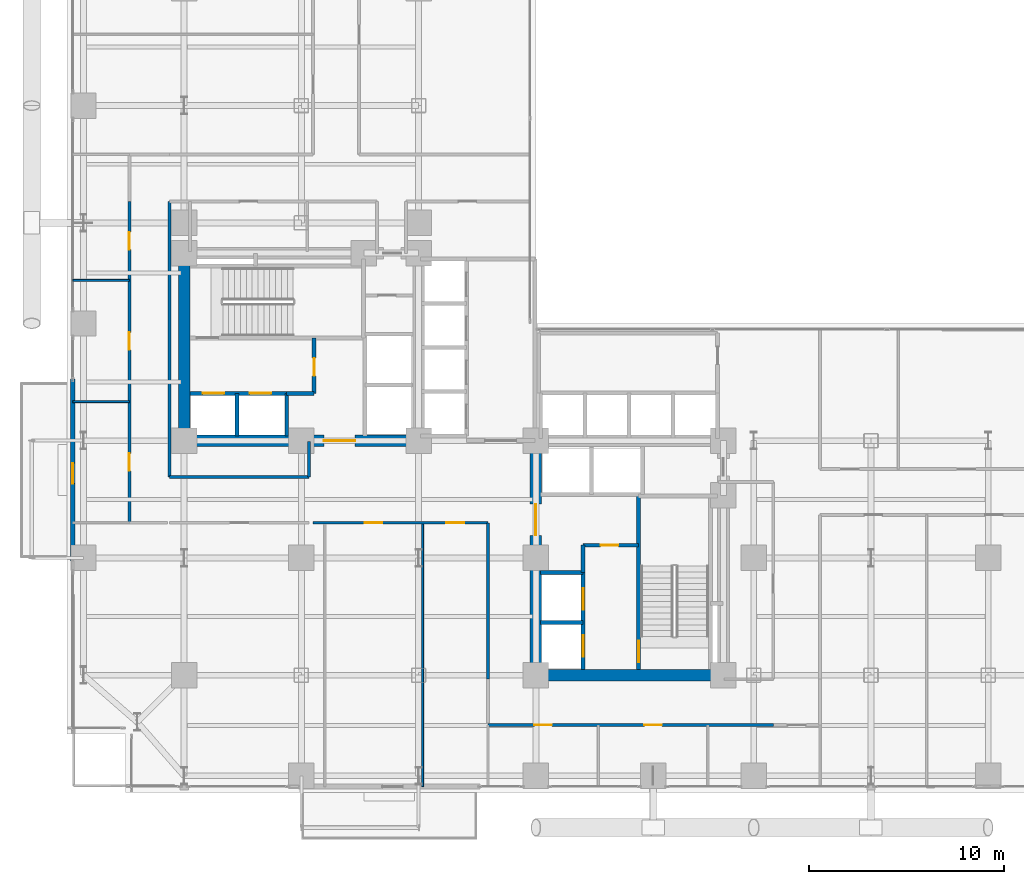
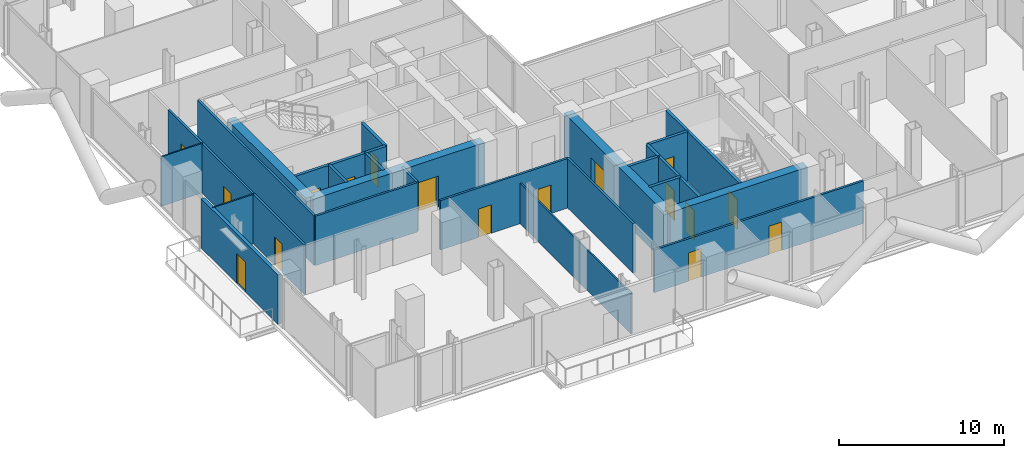
# One storey, part 20 of 25: 26 walls, 17 doors, 17 openings.
"""IFC4 building model written with IfcOpenShell, lengths in metres."""

from ifc_helpers import new_model, si_unit, direction, frame, frame_2d, origin, place, context, subcontext, project, spatial, rectangle, extrude, material, layer, layer_set, type_object, element, fill, save


model = new_model("IFC4")

# Units and contexts
model_context = context("Model", 3, precision=1e-05, world=origin(), true_north=direction((0.0, 1.0)))
body_context = subcontext(model_context, "Body", "Model", "MODEL_VIEW")
ifc_project = project(units=[si_unit("LENGTHUNIT", "METRE"), si_unit("AREAUNIT", "SQUARE_METRE"), si_unit("VOLUMEUNIT", "CUBIC_METRE"), si_unit("PLANEANGLEUNIT", "RADIAN"), si_unit("MASSUNIT", "GRAM", prefix="KILO"), si_unit("THERMODYNAMICTEMPERATUREUNIT", "KELVIN"), si_unit("POWERUNIT", "WATT")], contexts=[model_context])

# Site, building, storey
site_placement = place(None, origin())
site = spatial("IfcSite", under=ifc_project, at=site_placement, CompositionType="ELEMENT")
building_placement = place(site_placement, origin())
building = spatial("IfcBuilding", under=site, at=building_placement, Name="Svarakhadi Broadcast Tower", CompositionType="ELEMENT")
storey_placement = place(building_placement, frame((0.0, 0.0, 32.39990234375)))
storey = spatial("IfcBuildingStorey", under=building, at=storey_placement, Name="L06", CompositionType="ELEMENT", Elevation=32.39990234375)

# Wall, opening, door
ifc_material_1 = material(Name="Concrete C40/50 (IS 456 M50)", Category="concrete")
ifc_layer_1 = layer(ifc_material_1, 0.239990234375)
ifc_layer_set_1 = layer_set([ifc_layer_1], Name="Concrete C40/50 (IS 456 M50)")
wall_type_1 = type_object("IfcWallType", Name="Wall_Ext_240", PredefinedType="SOLIDWALL", material=ifc_layer_set_1)
wall_1_placement = place(storey_placement, frame((0.300048828125, 11.85498046875, 0.0), z_axis=(0.0, 0.0, 1.0), x_axis=(0.0, 1.0, 0.0)))
wall_1 = element("IfcWall", 1, at=wall_1_placement, inside=storey, type_object=wall_type_1, Name="L06 West Tree Balcony Spandrel Wall", PredefinedType="SOLIDWALL", context=body_context, shape_type="SweptSolid", body=[
    extrude(rectangle(XDim=9.2900390625, YDim=0.239990234375, at=frame_2d((4.64501953125, 0.0))), origin(), (0.0, 0.0, 1.0), 3.650146484375),
])
opening_1_placement = place(wall_1_placement, frame((3.945068359375, 0.0, 0.0)))
opening_1 = element("IfcOpeningElement", 2, at=opening_1_placement, cuts=wall_1, Name="Opening ED-05", PredefinedType="OPENING", context=body_context, shape_type="SweptSolid", body=[
    extrude(rectangle(XDim=1.050048828125, YDim=2.199951171875, at=frame_2d((0.52490234375, 1.10009765625))), frame((0.0, 0.1298828125, 0.0), z_axis=(0.0, -1.0, 0.0), x_axis=(1.0, 0.0, 0.0)), (0.0, 0.0, 1.0), 0.260009765625),
])
ifc_material_2 = material(Name="Anodised Bronze Aluminium AA 6063-T6", Category="aluminium")
door_type_1 = type_object("IfcDoorType", Name="Door_Ext_ED05", OperationType="SINGLE_SWING_LEFT", PredefinedType="DOOR", material=ifc_material_2)
door_1_placement = place(opening_1_placement, origin())
door_1 = element("IfcDoor", 3, at=door_1_placement, inside=storey, type_object=door_type_1, Name="L06 West Tree Balcony Door", OperationType="SINGLE_SWING_LEFT", OverallHeight=2.199951171875, OverallWidth=1.050048828125, PredefinedType="DOOR", context=body_context, shape_type="SweptSolid", body=[
    extrude(rectangle(XDim=1.050048828125, YDim=2.199951171875, at=frame_2d((0.52490234375, 1.10009765625))), frame((0.0, 0.02490234375, 0.0), z_axis=(0.0, -1.0, 0.0), x_axis=(1.0, 0.0, 0.0)), (0.0, 0.0, 1.0), 0.050048828125),
])
fill(opening_1, door_1)

# Walls
ifc_material_3 = material(Name="Fire-Rated Moisture-Resistant Gypsum Board Partition", Category="gypsum")
ifc_layer_2 = layer(ifc_material_3, 0.10009765625)
ifc_layer_set_2 = layer_set([ifc_layer_2], Name="Fire-Rated Moisture-Resistant Gypsum Board Partition")
wall_type_2 = type_object("IfcWallType", Name="Wall_Part_100", PredefinedType="PARTITIONING", material=ifc_layer_set_2)
wall_2_placement = place(storey_placement, frame((18.199951171875, 0.300048828125, 0.0), z_axis=(0.0, 0.0, 1.0), x_axis=(0.0, 1.0, 0.0)))
element("IfcWall", 4, at=wall_2_placement, inside=storey, type_object=wall_type_2, Name="L06 Editorial Morning Conference Room Wall", PredefinedType="PARTITIONING", context=body_context, shape_type="SweptSolid", body=[
    extrude(rectangle(XDim=13.5, YDim=0.10009765625, at=frame_2d((6.75, 0.0))), origin(), (0.0, 0.0, 1.0), 2.9921875),
])
for number, where, z_axis, x_axis, name in (
    (5, (0.300048828125, 20.0, 0.0), (0.0, 0.0, 1.0), (1.0, 0.0, 0.0), "L06 Arabian Sea Commentary Booth Wall"),
    (6, (0.300048828125, 26.199951171875, 0.0), (0.0, 0.0, 1.0), (1.0, 0.0, 0.0), "L06 Live Translation Studio Wall"),
):
    element("IfcWall", number, at=place(storey_placement, frame(where, z_axis=z_axis, x_axis=x_axis)), inside=storey, type_object=wall_type_2, Name=name, PredefinedType="PARTITIONING", context=body_context, shape_type="SweptSolid", body=[
        extrude(rectangle(XDim=2.89990234375, YDim=0.10009765625, at=frame_2d((1.449951171875, 0.0))), origin(), (0.0, 0.0, 1.0), 3.650146484375),
    ])

# Wall, openings, doors
ifc_material_4 = material(Name="Autoclaved Aerated Concrete Blockwork 150 mm", Category="masonry")
ifc_layer_3 = layer(ifc_material_4, 0.14990234375)
ifc_layer_set_3 = layer_set([ifc_layer_3], Name="Autoclaved Aerated Concrete Blockwork 150 mm")
wall_type_3 = type_object("IfcWallType", Name="Wall_Part_150", PredefinedType="PARTITIONING", material=ifc_layer_set_3)
wall_3_placement = place(storey_placement, frame((36.14990234375, 3.449951171875, 0.0), z_axis=(0.0, 0.0, 1.0), x_axis=(-1.0, 0.0, 0.0)))
wall_3 = element("IfcWall", 7, at=wall_3_placement, inside=storey, type_object=wall_type_3, Name="L06 Broadcast Corridor Wall", PredefinedType="PARTITIONING", context=body_context, shape_type="SweptSolid", body=[
    extrude(rectangle(XDim=14.599853515625, YDim=0.14990234375, at=frame_2d((7.2998046875, 0.0))), origin(), (0.0, 0.0, 1.0), 3.14208984375),
])
opening_2_placement = place(wall_3_placement, frame((11.324951171875, 0.0, 0.0)))
opening_2 = element("IfcOpeningElement", 8, at=opening_2_placement, cuts=wall_3, Name="Opening D-14", PredefinedType="OPENING", context=body_context, shape_type="SweptSolid", body=[
    extrude(rectangle(XDim=0.89990234375, YDim=2.10009765625, at=frame_2d((0.449951171875, 1.050048828125))), frame((0.0, 0.0849609375, 0.0), z_axis=(0.0, -1.0, 0.0), x_axis=(1.0, 0.0, 0.0)), (0.0, 0.0, 1.0), 0.169921875),
])
opening_3_placement = place(wall_3_placement, frame((5.699951171875, 0.0, 0.0)))
opening_3 = element("IfcOpeningElement", 9, at=opening_3_placement, cuts=wall_3, Name="Opening D-15", PredefinedType="OPENING", context=body_context, shape_type="SweptSolid", body=[
    extrude(rectangle(XDim=0.89990234375, YDim=2.10009765625, at=frame_2d((0.449951171875, 1.050048828125))), frame((0.0, 0.0849609375, 0.0), z_axis=(0.0, -1.0, 0.0), x_axis=(1.0, 0.0, 0.0)), (0.0, 0.0, 1.0), 0.169921875),
])
ifc_material_5 = material(Name="Solid-Core Teak Veneer Acoustic Timber Leaf", Category="wood")
door_type_2 = type_object("IfcDoorType", Name="Door_Int_D14", OperationType="SINGLE_SWING_LEFT", PredefinedType="DOOR", material=ifc_material_5)
door_2_placement = place(opening_2_placement, origin())
door_2 = element("IfcDoor", 10, at=door_2_placement, inside=storey, type_object=door_type_2, Name="L06 South Harbour Editorial Desk Door", OperationType="SINGLE_SWING_LEFT", OverallHeight=2.10009765625, OverallWidth=0.89990234375, PredefinedType="DOOR", context=body_context, shape_type="SweptSolid", body=[
    extrude(rectangle(XDim=0.89990234375, YDim=2.10009765625, at=frame_2d((0.449951171875, 1.050048828125))), frame((0.0, 0.02490234375, 0.0), z_axis=(0.0, -1.0, 0.0), x_axis=(1.0, 0.0, 0.0)), (0.0, 0.0, 1.0), 0.050048828125),
])
fill(opening_2, door_2)
door_type_3 = type_object("IfcDoorType", Name="Door_Int_D15", OperationType="SINGLE_SWING_RIGHT", PredefinedType="DOOR", material=ifc_material_5)
door_3_placement = place(opening_3_placement, origin())
door_3 = element("IfcDoor", 11, at=door_3_placement, inside=storey, type_object=door_type_3, Name="L06 Media Legal Review Office Door", OperationType="SINGLE_SWING_RIGHT", OverallHeight=2.10009765625, OverallWidth=0.89990234375, PredefinedType="DOOR", context=body_context, shape_type="SweptSolid", body=[
    extrude(rectangle(XDim=0.89990234375, YDim=2.10009765625, at=frame_2d((0.449951171875, 1.050048828125))), frame((0.0, 0.02490234375, 0.0), z_axis=(0.0, -1.0, 0.0), x_axis=(1.0, 0.0, 0.0)), (0.0, 0.0, 1.0), 0.050048828125),
])
fill(opening_3, door_3)

# Wall
wall_4_placement = place(storey_placement, frame((21.550048828125, 5.800048828125, 0.0), z_axis=(0.0, 0.0, 1.0), x_axis=(0.0, 1.0, 0.0)))
element("IfcWall", 12, at=wall_4_placement, inside=storey, type_object=wall_type_3, Name="L06 Broadcast Corridor Wall", PredefinedType="PARTITIONING", context=body_context, shape_type="SweptSolid", body=[
    extrude(rectangle(XDim=8.0, YDim=0.14990234375, at=frame_2d((4.0, 0.0))), origin(), (0.0, 0.0, 1.0), 3.650146484375),
])

# Wall, openings, doors
wall_5_placement = place(storey_placement, frame((21.550048828125, 13.800048828125, 0.0), z_axis=(0.0, 0.0, 1.0), x_axis=(-1.0, 0.0, 0.0)))
wall_5 = element("IfcWall", 13, at=wall_5_placement, inside=storey, type_object=wall_type_3, Name="L06 Broadcast Corridor Wall", PredefinedType="PARTITIONING", context=body_context, shape_type="SweptSolid", body=[
    extrude(rectangle(XDim=8.949951171875, YDim=0.14990234375, at=frame_2d((4.47509765625, 0.0))), origin(), (0.0, 0.0, 1.0), 3.650146484375),
])
opening_4_placement = place(wall_5_placement, frame((5.39990234375, 0.0, 0.0)))
opening_4 = element("IfcOpeningElement", 14, at=opening_4_placement, cuts=wall_5, Name="Opening D-14", PredefinedType="OPENING", context=body_context, shape_type="SweptSolid", body=[
    extrude(rectangle(XDim=0.89990234375, YDim=2.10009765625, at=frame_2d((0.449951171875, 1.050048828125))), frame((0.0, 0.0849609375, 0.0), z_axis=(0.0, -1.0, 0.0), x_axis=(1.0, 0.0, 0.0)), (0.0, 0.0, 1.0), 0.169921875),
])
opening_5_placement = place(wall_5_placement, frame((1.22509765625, 0.0, 0.0)))
opening_5 = element("IfcOpeningElement", 15, at=opening_5_placement, cuts=wall_5, Name="Opening D-15", PredefinedType="OPENING", context=body_context, shape_type="SweptSolid", body=[
    extrude(rectangle(XDim=0.89990234375, YDim=2.10009765625, at=frame_2d((0.449951171875, 1.050048828125))), frame((0.0, 0.0849609375, 0.0), z_axis=(0.0, -1.0, 0.0), x_axis=(1.0, 0.0, 0.0)), (0.0, 0.0, 1.0), 0.169921875),
])
door_4_placement = place(opening_4_placement, origin())
door_4 = element("IfcDoor", 16, at=door_4_placement, inside=storey, type_object=door_type_2, Name="L06 Editorial Morning Conference Room Door", OperationType="SINGLE_SWING_LEFT", OverallHeight=2.10009765625, OverallWidth=0.89990234375, PredefinedType="DOOR", context=body_context, shape_type="SweptSolid", body=[
    extrude(rectangle(XDim=0.89990234375, YDim=2.10009765625, at=frame_2d((0.449951171875, 1.050048828125))), frame((0.0, 0.02490234375, 0.0), z_axis=(0.0, -1.0, 0.0), x_axis=(1.0, 0.0, 0.0)), (0.0, 0.0, 1.0), 0.050048828125),
])
fill(opening_4, door_4)
door_5_placement = place(opening_5_placement, origin())
door_5 = element("IfcDoor", 17, at=door_5_placement, inside=storey, type_object=door_type_3, Name="L06 Newsroom Tea Pantry Door", OperationType="SINGLE_SWING_RIGHT", OverallHeight=2.10009765625, OverallWidth=0.89990234375, PredefinedType="DOOR", context=body_context, shape_type="SweptSolid", body=[
    extrude(rectangle(XDim=0.89990234375, YDim=2.10009765625, at=frame_2d((0.449951171875, 1.050048828125))), frame((0.0, 0.02490234375, 0.0), z_axis=(0.0, -1.0, 0.0), x_axis=(1.0, 0.0, 0.0)), (0.0, 0.0, 1.0), 0.050048828125),
])
fill(opening_5, door_5)

wall_6_placement = place(storey_placement, frame((3.199951171875, 13.800048828125, 0.0), z_axis=(0.0, 0.0, 1.0), x_axis=(0.0, 1.0, 0.0)))
wall_6 = element("IfcWall", 18, at=wall_6_placement, inside=storey, type_object=wall_type_3, Name="L06 Broadcast Corridor Wall", PredefinedType="PARTITIONING", context=body_context, shape_type="SweptSolid", body=[
    extrude(rectangle(XDim=16.449951171875, YDim=0.14990234375, at=frame_2d((8.22509765625, 0.0))), origin(), (0.0, 0.0, 1.0), 3.650146484375),
])
opening_6_placement = place(wall_6_placement, frame((2.64990234375, 0.0, 0.0)))
opening_6 = element("IfcOpeningElement", 19, at=opening_6_placement, cuts=wall_6, Name="Opening D-15", PredefinedType="OPENING", context=body_context, shape_type="SweptSolid", body=[
    extrude(rectangle(XDim=0.89990234375, YDim=2.10009765625, at=frame_2d((0.449951171875, 1.050048828125))), frame((0.0, 0.0849609375, 0.0), z_axis=(0.0, -1.0, 0.0), x_axis=(1.0, 0.0, 0.0)), (0.0, 0.0, 1.0), 0.169921875),
])
opening_7_placement = place(wall_6_placement, frame((8.85009765625, 0.0, 0.0)))
opening_7 = element("IfcOpeningElement", 20, at=opening_7_placement, cuts=wall_6, Name="Opening D-14", PredefinedType="OPENING", context=body_context, shape_type="SweptSolid", body=[
    extrude(rectangle(XDim=0.89990234375, YDim=2.10009765625, at=frame_2d((0.449951171875, 1.050048828125))), frame((0.0, 0.0849609375, 0.0), z_axis=(0.0, -1.0, 0.0), x_axis=(1.0, 0.0, 0.0)), (0.0, 0.0, 1.0), 0.169921875),
])
opening_8_placement = place(wall_6_placement, frame((13.97509765625, 0.0, 0.0)))
opening_8 = element("IfcOpeningElement", 21, at=opening_8_placement, cuts=wall_6, Name="Opening D-15", PredefinedType="OPENING", context=body_context, shape_type="SweptSolid", body=[
    extrude(rectangle(XDim=0.89990234375, YDim=2.10009765625, at=frame_2d((0.449951171875, 1.050048828125))), frame((0.0, 0.0849609375, 0.0), z_axis=(0.0, -1.0, 0.0), x_axis=(1.0, 0.0, 0.0)), (0.0, 0.0, 1.0), 0.169921875),
])
door_6_placement = place(opening_7_placement, origin())
door_6 = element("IfcDoor", 22, at=door_6_placement, inside=storey, type_object=door_type_2, Name="L06 Live Translation Studio Door", OperationType="SINGLE_SWING_LEFT", OverallHeight=2.10009765625, OverallWidth=0.89990234375, PredefinedType="DOOR", context=body_context, shape_type="SweptSolid", body=[
    extrude(rectangle(XDim=0.89990234375, YDim=2.10009765625, at=frame_2d((0.449951171875, 1.050048828125))), frame((0.0, 0.02490234375, 0.0), z_axis=(0.0, -1.0, 0.0), x_axis=(1.0, 0.0, 0.0)), (0.0, 0.0, 1.0), 0.050048828125),
])
fill(opening_7, door_6)
door_7_placement = place(opening_6_placement, origin())
door_7 = element("IfcDoor", 23, at=door_7_placement, inside=storey, type_object=door_type_3, Name="L06 Arabian Sea Commentary Booth Door", OperationType="SINGLE_SWING_RIGHT", OverallHeight=2.10009765625, OverallWidth=0.89990234375, PredefinedType="DOOR", context=body_context, shape_type="SweptSolid", body=[
    extrude(rectangle(XDim=0.89990234375, YDim=2.10009765625, at=frame_2d((0.449951171875, 1.050048828125))), frame((0.0, 0.02490234375, 0.0), z_axis=(0.0, -1.0, 0.0), x_axis=(1.0, 0.0, 0.0)), (0.0, 0.0, 1.0), 0.050048828125),
])
fill(opening_6, door_7)
door_8_placement = place(opening_8_placement, origin())
door_8 = element("IfcDoor", 24, at=door_8_placement, inside=storey, type_object=door_type_3, Name="L06 Producer Quiet Lounge Door", OperationType="SINGLE_SWING_RIGHT", OverallHeight=2.10009765625, OverallWidth=0.89990234375, PredefinedType="DOOR", context=body_context, shape_type="SweptSolid", body=[
    extrude(rectangle(XDim=0.89990234375, YDim=2.10009765625, at=frame_2d((0.449951171875, 1.050048828125))), frame((0.0, 0.02490234375, 0.0), z_axis=(0.0, -1.0, 0.0), x_axis=(1.0, 0.0, 0.0)), (0.0, 0.0, 1.0), 0.050048828125),
])
fill(opening_8, door_8)

# Walls
wall_7_placement = place(storey_placement, frame((5.25, 30.25, 0.0), z_axis=(0.0, 0.0, 1.0), x_axis=(0.0, -1.0, 0.0)))
element("IfcWall", 25, at=wall_7_placement, inside=storey, type_object=wall_type_3, Name="L06 Broadcast Corridor Wall", PredefinedType="PARTITIONING", context=body_context, shape_type="SweptSolid", body=[
    extrude(rectangle(XDim=14.10009765625, YDim=0.14990234375, at=frame_2d((7.050048828125, 0.0))), origin(), (0.0, 0.0, 1.0), 3.650146484375),
])
wall_8_placement = place(storey_placement, frame((5.25, 16.14990234375, 0.0), z_axis=(0.0, 0.0, 1.0), x_axis=(1.0, 0.0, 0.0)))
element("IfcWall", 26, at=wall_8_placement, inside=storey, type_object=wall_type_3, Name="L06 Broadcast Corridor Wall", PredefinedType="PARTITIONING", context=body_context, shape_type="SweptSolid", body=[
    extrude(rectangle(XDim=7.14990234375, YDim=0.14990234375, at=frame_2d((3.574951171875, 0.0))), origin(), (0.0, 0.0, 1.0), 3.650146484375),
])
wall_9_placement = place(storey_placement, frame((12.39990234375, 16.14990234375, 0.0), z_axis=(0.0, 0.0, 1.0), x_axis=(0.0, 1.0, 0.0)))
element("IfcWall", 27, at=wall_9_placement, inside=storey, type_object=wall_type_3, Name="L06 Broadcast Corridor Wall", PredefinedType="PARTITIONING", context=body_context, shape_type="SweptSolid", body=[
    extrude(rectangle(XDim=1.800048828125, YDim=0.14990234375, at=frame_2d((0.89990234375, 0.0))), origin(), (0.0, 0.0, 1.0), 3.650146484375),
])

# Wall, opening, door
ifc_material_6 = material(Name="Concrete C50/60 (IS 456 M60)", Category="concrete")
ifc_layer_4 = layer(ifc_material_6, 0.199951171875)
ifc_layer_set_4 = layer_set([ifc_layer_4], Name="Concrete C50/60 (IS 456 M60)")
wall_type_4 = type_object("IfcWallType", Name="Wall_Shear_200", PredefinedType="SHEAR", material=ifc_layer_set_4)
wall_10_placement = place(storey_placement, frame((29.260009765625, 6.300048828125, 0.0), z_axis=(0.0, 0.0, 1.0), x_axis=(0.0, 1.0, 0.0)))
wall_10 = element("IfcWall", 28, at=wall_10_placement, inside=storey, type_object=wall_type_4, Name="L06 Stair ST-02 West RC Shaft Wall", PredefinedType="SHEAR", context=body_context, shape_type="SweptSolid", body=[
    extrude(rectangle(XDim=8.8798828125, YDim=0.199951171875, at=frame_2d((4.43994140625, 0.0))), origin(), (0.0, 0.0, 1.0), 3.650146484375),
])
opening_9_placement = place(wall_10_placement, frame((0.35009765625, 0.0, 0.0)))
opening_9 = element("IfcOpeningElement", 29, at=opening_9_placement, cuts=wall_10, Name="Opening D-02", PredefinedType="OPENING", context=body_context, shape_type="SweptSolid", body=[
    extrude(rectangle(XDim=1.10009765625, YDim=2.199951171875, at=frame_2d((0.550048828125, 1.10009765625))), frame((0.0, 0.10986328125, 0.0), z_axis=(0.0, -1.0, 0.0), x_axis=(1.0, 0.0, 0.0)), (0.0, 0.0, 1.0), 0.219970703125),
])
ifc_material_7 = material(Name="Galvanised Powder-Coated Fire-Rated Steel Leaf", Category="steel")
door_type_4 = type_object("IfcDoorType", Name="Door_Stair_D02", OperationType="SINGLE_SWING_RIGHT", PredefinedType="DOOR", material=ifc_material_7)
door_9_placement = place(opening_9_placement, origin())
door_9 = element("IfcDoor", 30, at=door_9_placement, inside=storey, type_object=door_type_4, Name="L06 Protected Exit Stair ST-02 Fire Door", OperationType="SINGLE_SWING_RIGHT", OverallHeight=2.199951171875, OverallWidth=1.10009765625, PredefinedType="DOOR", context=body_context, shape_type="SweptSolid", body=[
    extrude(rectangle(XDim=1.10009765625, YDim=2.199951171875, at=frame_2d((0.550048828125, 1.10009765625))), frame((0.0, 0.02490234375, 0.0), z_axis=(0.0, -1.0, 0.0), x_axis=(1.0, 0.0, 0.0)), (0.0, 0.0, 1.0), 0.050048828125),
])
fill(opening_9, door_9)

# Wall, openings, doors
wall_11_placement = place(storey_placement, frame((6.300048828125, 20.419921875, 0.0), z_axis=(0.0, 0.0, 1.0), x_axis=(1.0, 0.0, 0.0)))
wall_11 = element("IfcWall", 31, at=wall_11_placement, inside=storey, type_object=wall_type_4, Name="L06 Firefighting Lift LF-01/02 Shaft Wall", PredefinedType="SHEAR", context=body_context, shape_type="SweptSolid", body=[
    extrude(rectangle(XDim=4.949951171875, YDim=0.199951171875, at=frame_2d((2.47509765625, 0.0))), origin(), (0.0, 0.0, 1.0), 3.650146484375),
])
opening_10_placement = place(wall_11_placement, frame((0.64990234375, 0.0, 0.0)))
opening_10 = element("IfcOpeningElement", 32, at=opening_10_placement, cuts=wall_11, Name="Opening LD-01", PredefinedType="OPENING", context=body_context, shape_type="SweptSolid", body=[
    extrude(rectangle(XDim=1.10009765625, YDim=2.199951171875, at=frame_2d((0.550048828125, 1.10009765625))), frame((0.0, 0.10986328125, 0.0), z_axis=(0.0, -1.0, 0.0), x_axis=(1.0, 0.0, 0.0)), (0.0, 0.0, 1.0), 0.219970703125),
])
opening_11_placement = place(wall_11_placement, frame((3.050048828125, 0.0, 0.0)))
opening_11 = element("IfcOpeningElement", 33, at=opening_11_placement, cuts=wall_11, Name="Opening LD-01", PredefinedType="OPENING", context=body_context, shape_type="SweptSolid", body=[
    extrude(rectangle(XDim=1.10009765625, YDim=2.199951171875, at=frame_2d((0.550048828125, 1.10009765625))), frame((0.0, 0.10986328125, 0.0), z_axis=(0.0, -1.0, 0.0), x_axis=(1.0, 0.0, 0.0)), (0.0, 0.0, 1.0), 0.219970703125),
])
door_type_5 = type_object("IfcDoorType", Name="Door_Lift_LD01", OperationType="SLIDING_TO_LEFT", PredefinedType="DOOR", material=ifc_material_7)
door_10_placement = place(opening_10_placement, origin())
door_10 = element("IfcDoor", 34, at=door_10_placement, inside=storey, type_object=door_type_5, Name="L06 Firefighting Lift LF-01 Landing Door", OperationType="SLIDING_TO_LEFT", OverallHeight=2.199951171875, OverallWidth=1.10009765625, PredefinedType="DOOR", context=body_context, shape_type="SweptSolid", body=[
    extrude(rectangle(XDim=1.10009765625, YDim=2.199951171875, at=frame_2d((0.550048828125, 1.10009765625))), frame((0.0, 0.02490234375, 0.0), z_axis=(0.0, -1.0, 0.0), x_axis=(1.0, 0.0, 0.0)), (0.0, 0.0, 1.0), 0.050048828125),
])
fill(opening_10, door_10)
door_11_placement = place(opening_11_placement, origin())
door_11 = element("IfcDoor", 35, at=door_11_placement, inside=storey, type_object=door_type_5, Name="L06 Firefighting Lift LF-02 Landing Door", OperationType="SLIDING_TO_LEFT", OverallHeight=2.199951171875, OverallWidth=1.10009765625, PredefinedType="DOOR", context=body_context, shape_type="SweptSolid", body=[
    extrude(rectangle(XDim=1.10009765625, YDim=2.199951171875, at=frame_2d((0.550048828125, 1.10009765625))), frame((0.0, 0.02490234375, 0.0), z_axis=(0.0, -1.0, 0.0), x_axis=(1.0, 0.0, 0.0)), (0.0, 0.0, 1.0), 0.050048828125),
])
fill(opening_11, door_11)

# Walls
for number, where, z_axis, x_axis, name in (
    (36, (8.699951171875, 18.25, 0.0), (0.0, 0.0, 1.0), (0.0, 1.0, 0.0), "L06 Firefighting Lift LF-01/02 Divider Wall"),
    (37, (11.25, 18.25, 0.0), (0.0, 0.0, 1.0), (0.0, 1.0, 0.0), "L06 Firefighting Lift LF-02 East Wall"),
):
    element("IfcWall", number, at=place(storey_placement, frame(where, z_axis=z_axis, x_axis=x_axis)), inside=storey, type_object=wall_type_4, Name=name, PredefinedType="SHEAR", context=body_context, shape_type="SweptSolid", body=[
        extrude(rectangle(XDim=2.169921875, YDim=0.199951171875, at=frame_2d((1.0849609375, 0.0))), origin(), (0.0, 0.0, 1.0), 3.650146484375),
    ])
wall_12_placement = place(storey_placement, frame((11.25, 20.419921875, 0.0), z_axis=(0.0, 0.0, 1.0), x_axis=(1.0, 0.0, 0.0)))
element("IfcWall", 38, at=wall_12_placement, inside=storey, type_object=wall_type_4, Name="L06 West Firefighting Lobby South Wall", PredefinedType="SHEAR", context=body_context, shape_type="SweptSolid", body=[
    extrude(rectangle(XDim=1.39990234375, YDim=0.199951171875, at=frame_2d((0.699951171875, 0.0))), origin(), (0.0, 0.0, 1.0), 3.650146484375),
])

# Wall, opening, door
wall_13_placement = place(storey_placement, frame((12.64990234375, 20.419921875, 0.0), z_axis=(0.0, 0.0, 1.0), x_axis=(0.0, 1.0, 0.0)))
wall_13 = element("IfcWall", 39, at=wall_13_placement, inside=storey, type_object=wall_type_4, Name="L06 West Firefighting Lobby East Wall", PredefinedType="SHEAR", context=body_context, shape_type="SweptSolid", body=[
    extrude(rectangle(XDim=2.840087890625, YDim=0.199951171875, at=frame_2d((1.419921875, 0.0))), origin(), (0.0, 0.0, 1.0), 3.650146484375),
])
opening_12_placement = place(wall_13_placement, frame((0.89990234375, 0.0, 0.0)))
opening_12 = element("IfcOpeningElement", 40, at=opening_12_placement, cuts=wall_13, Name="Opening D-04", PredefinedType="OPENING", context=body_context, shape_type="SweptSolid", body=[
    extrude(rectangle(XDim=0.89990234375, YDim=2.14990234375, at=frame_2d((0.449951171875, 1.074951171875))), frame((0.0, 0.10986328125, 0.0), z_axis=(0.0, -1.0, 0.0), x_axis=(1.0, 0.0, 0.0)), (0.0, 0.0, 1.0), 0.219970703125),
])
door_type_6 = type_object("IfcDoorType", Name="Door_Fire_D04", OperationType="SINGLE_SWING_RIGHT", PredefinedType="DOOR", material=ifc_material_7)
door_12_placement = place(opening_12_placement, origin())
door_12 = element("IfcDoor", 41, at=door_12_placement, inside=storey, type_object=door_type_6, Name="L06 West Firefighting Lobby Fire Door", OperationType="SINGLE_SWING_RIGHT", OverallHeight=2.14990234375, OverallWidth=0.89990234375, PredefinedType="DOOR", context=body_context, shape_type="SweptSolid", body=[
    extrude(rectangle(XDim=0.89990234375, YDim=2.14990234375, at=frame_2d((0.449951171875, 1.074951171875))), frame((0.0, 0.02490234375, 0.0), z_axis=(0.0, -1.0, 0.0), x_axis=(1.0, 0.0, 0.0)), (0.0, 0.0, 1.0), 0.050048828125),
])
fill(opening_12, door_12)

# Wall, openings, doors
wall_14_placement = place(storey_placement, frame((26.419921875, 6.300048828125, 0.0), z_axis=(0.0, 0.0, 1.0), x_axis=(0.0, 1.0, 0.0)))
wall_14 = element("IfcWall", 42, at=wall_14_placement, inside=storey, type_object=wall_type_4, Name="L06 Firefighting Lift LF-03/04 Shaft Wall", PredefinedType="SHEAR", context=body_context, shape_type="SweptSolid", body=[
    extrude(rectangle(XDim=4.949951171875, YDim=0.199951171875, at=frame_2d((2.47509765625, 0.0))), origin(), (0.0, 0.0, 1.0), 3.650146484375),
])
opening_13_placement = place(wall_14_placement, frame((0.64990234375, 0.0, 0.0)))
opening_13 = element("IfcOpeningElement", 43, at=opening_13_placement, cuts=wall_14, Name="Opening LD-01", PredefinedType="OPENING", context=body_context, shape_type="SweptSolid", body=[
    extrude(rectangle(XDim=1.10009765625, YDim=2.199951171875, at=frame_2d((0.550048828125, 1.10009765625))), frame((0.0, 0.10986328125, 0.0), z_axis=(0.0, -1.0, 0.0), x_axis=(1.0, 0.0, 0.0)), (0.0, 0.0, 1.0), 0.219970703125),
])
opening_14_placement = place(wall_14_placement, frame((3.050048828125, 0.0, 0.0)))
opening_14 = element("IfcOpeningElement", 44, at=opening_14_placement, cuts=wall_14, Name="Opening LD-01", PredefinedType="OPENING", context=body_context, shape_type="SweptSolid", body=[
    extrude(rectangle(XDim=1.10009765625, YDim=2.199951171875, at=frame_2d((0.550048828125, 1.10009765625))), frame((0.0, 0.10986328125, 0.0), z_axis=(0.0, -1.0, 0.0), x_axis=(1.0, 0.0, 0.0)), (0.0, 0.0, 1.0), 0.219970703125),
])
door_13_placement = place(opening_13_placement, origin())
door_13 = element("IfcDoor", 45, at=door_13_placement, inside=storey, type_object=door_type_5, Name="L06 Firefighting Lift LF-03 Landing Door", OperationType="SLIDING_TO_LEFT", OverallHeight=2.199951171875, OverallWidth=1.10009765625, PredefinedType="DOOR", context=body_context, shape_type="SweptSolid", body=[
    extrude(rectangle(XDim=1.10009765625, YDim=2.199951171875, at=frame_2d((0.550048828125, 1.10009765625))), frame((0.0, 0.02490234375, 0.0), z_axis=(0.0, -1.0, 0.0), x_axis=(1.0, 0.0, 0.0)), (0.0, 0.0, 1.0), 0.050048828125),
])
fill(opening_13, door_13)
door_14_placement = place(opening_14_placement, origin())
door_14 = element("IfcDoor", 46, at=door_14_placement, inside=storey, type_object=door_type_5, Name="L06 Firefighting Lift LF-04 Landing Door", OperationType="SLIDING_TO_LEFT", OverallHeight=2.199951171875, OverallWidth=1.10009765625, PredefinedType="DOOR", context=body_context, shape_type="SweptSolid", body=[
    extrude(rectangle(XDim=1.10009765625, YDim=2.199951171875, at=frame_2d((0.550048828125, 1.10009765625))), frame((0.0, 0.02490234375, 0.0), z_axis=(0.0, -1.0, 0.0), x_axis=(1.0, 0.0, 0.0)), (0.0, 0.0, 1.0), 0.050048828125),
])
fill(opening_14, door_14)

# Walls
for number, where, z_axis, x_axis, name in (
    (47, (24.25, 8.699951171875, 0.0), (0.0, 0.0, 1.0), (1.0, 0.0, 0.0), "L06 Firefighting Lift LF-03/04 Divider Wall"),
    (48, (24.25, 11.25, 0.0), (0.0, 0.0, 1.0), (1.0, 0.0, 0.0), "L06 Firefighting Lift LF-04 North Wall"),
):
    element("IfcWall", number, at=place(storey_placement, frame(where, z_axis=z_axis, x_axis=x_axis)), inside=storey, type_object=wall_type_4, Name=name, PredefinedType="SHEAR", context=body_context, shape_type="SweptSolid", body=[
        extrude(rectangle(XDim=2.169921875, YDim=0.199951171875, at=frame_2d((1.0849609375, 0.0))), origin(), (0.0, 0.0, 1.0), 3.650146484375),
    ])
wall_15_placement = place(storey_placement, frame((26.419921875, 11.25, 0.0), z_axis=(0.0, 0.0, 1.0), x_axis=(0.0, 1.0, 0.0)))
element("IfcWall", 49, at=wall_15_placement, inside=storey, type_object=wall_type_4, Name="L06 East Firefighting Lobby West Wall", PredefinedType="SHEAR", context=body_context, shape_type="SweptSolid", body=[
    extrude(rectangle(XDim=1.39990234375, YDim=0.199951171875, at=frame_2d((0.699951171875, 0.0))), origin(), (0.0, 0.0, 1.0), 3.650146484375),
])

# Wall, opening, door
wall_16_placement = place(storey_placement, frame((26.419921875, 12.64990234375, 0.0), z_axis=(0.0, 0.0, 1.0), x_axis=(1.0, 0.0, 0.0)))
wall_16 = element("IfcWall", 50, at=wall_16_placement, inside=storey, type_object=wall_type_4, Name="L06 East Firefighting Lobby North Wall", PredefinedType="SHEAR", context=body_context, shape_type="SweptSolid", body=[
    extrude(rectangle(XDim=2.840087890625, YDim=0.199951171875, at=frame_2d((1.419921875, 0.0))), origin(), (0.0, 0.0, 1.0), 3.650146484375),
])
opening_15_placement = place(wall_16_placement, frame((0.89990234375, 0.0, 0.0)))
opening_15 = element("IfcOpeningElement", 51, at=opening_15_placement, cuts=wall_16, Name="Opening D-03", PredefinedType="OPENING", context=body_context, shape_type="SweptSolid", body=[
    extrude(rectangle(XDim=0.89990234375, YDim=2.14990234375, at=frame_2d((0.449951171875, 1.074951171875))), frame((0.0, 0.10986328125, 0.0), z_axis=(0.0, -1.0, 0.0), x_axis=(1.0, 0.0, 0.0)), (0.0, 0.0, 1.0), 0.219970703125),
])
door_type_7 = type_object("IfcDoorType", Name="Door_Fire_D03", OperationType="SINGLE_SWING_LEFT", PredefinedType="DOOR", material=ifc_material_7)
door_15_placement = place(opening_15_placement, origin())
door_15 = element("IfcDoor", 52, at=door_15_placement, inside=storey, type_object=door_type_7, Name="L06 East Firefighting Lobby Fire Door", OperationType="SINGLE_SWING_LEFT", OverallHeight=2.14990234375, OverallWidth=0.89990234375, PredefinedType="DOOR", context=body_context, shape_type="SweptSolid", body=[
    extrude(rectangle(XDim=0.89990234375, YDim=2.14990234375, at=frame_2d((0.449951171875, 1.074951171875))), frame((0.0, 0.02490234375, 0.0), z_axis=(0.0, -1.0, 0.0), x_axis=(1.0, 0.0, 0.0)), (0.0, 0.0, 1.0), 0.050048828125),
])
fill(opening_15, door_15)

ifc_material_8 = material(Name="Concrete C60/75 (IS 456 M70)", Category="concrete")
ifc_layer_5 = layer(ifc_material_8, 0.60009765625)
ifc_layer_set_5 = layer_set([ifc_layer_5], Name="Concrete C60/75 (IS 456 M70)")
wall_type_5 = type_object("IfcWallType", Name="Wall_Shear_600", PredefinedType="SHEAR", material=ifc_layer_set_5)
wall_17_placement = place(storey_placement, frame((6.0, 18.0, 0.0), z_axis=(0.0, 0.0, 1.0), x_axis=(1.0, 0.0, 0.0)))
wall_17 = element("IfcWall", 53, at=wall_17_placement, inside=storey, type_object=wall_type_5, Name="L06 West Core South Shear Wall", PredefinedType="SHEAR", context=body_context, shape_type="SweptSolid", body=[
    extrude(rectangle(XDim=12.0, YDim=0.60009765625, at=frame_2d((6.0, 0.0))), origin(), (0.0, 0.0, 1.0), 3.650146484375),
])
opening_16_placement = place(wall_17_placement, frame((7.14990234375, 0.0, 0.0)))
opening_16 = element("IfcOpeningElement", 54, at=opening_16_placement, cuts=wall_17, Name="Opening D-05", PredefinedType="OPENING", context=body_context, shape_type="SweptSolid", body=[
    extrude(rectangle(XDim=1.60009765625, YDim=2.300048828125, at=frame_2d((0.800048828125, 1.14990234375))), frame((0.0, 0.31005859375, 0.0), z_axis=(0.0, -1.0, 0.0), x_axis=(1.0, 0.0, 0.0)), (0.0, 0.0, 1.0), 0.6201171875),
])
door_type_8 = type_object("IfcDoorType", Name="Door_Lobby_D05", OperationType="DOUBLE_DOOR_SLIDING", PredefinedType="DOOR", material=ifc_material_2)
door_16_placement = place(opening_16_placement, origin())
door_16 = element("IfcDoor", 55, at=door_16_placement, inside=storey, type_object=door_type_8, Name="L06 West Core Passenger Lift Lobby Entrance Door", OperationType="DOUBLE_DOOR_SLIDING", OverallHeight=2.300048828125, OverallWidth=1.60009765625, PredefinedType="DOOR", context=body_context, shape_type="SweptSolid", body=[
    extrude(rectangle(XDim=1.60009765625, YDim=2.300048828125, at=frame_2d((0.800048828125, 1.14990234375))), frame((0.0, 0.02490234375, 0.0), z_axis=(0.0, -1.0, 0.0), x_axis=(1.0, 0.0, 0.0)), (0.0, 0.0, 1.0), 0.050048828125),
])
fill(opening_16, door_16)

# Walls
for number, where, z_axis, x_axis, name in (
    (56, (6.0, 18.0, 0.0), (0.0, 0.0, 1.0), (0.0, 1.0, 0.0), "L06 West Core West Shear Wall"),
    (57, (24.0, 6.0, 0.0), (0.0, 0.0, 1.0), (1.0, 0.0, 0.0), "L06 East Core South Shear Wall"),
):
    element("IfcWall", number, at=place(storey_placement, frame(where, z_axis=z_axis, x_axis=x_axis)), inside=storey, type_object=wall_type_5, Name=name, PredefinedType="SHEAR", context=body_context, shape_type="SweptSolid", body=[
        extrude(rectangle(XDim=9.60009765625, YDim=0.60009765625, at=frame_2d((4.800048828125, 0.0))), origin(), (0.0, 0.0, 1.0), 3.650146484375),
    ])

# Wall, opening, door
wall_18_placement = place(storey_placement, frame((24.0, 6.0, 0.0), z_axis=(0.0, 0.0, 1.0), x_axis=(0.0, 1.0, 0.0)))
wall_18 = element("IfcWall", 58, at=wall_18_placement, inside=storey, type_object=wall_type_5, Name="L06 East Core West Shear Wall", PredefinedType="SHEAR", context=body_context, shape_type="SweptSolid", body=[
    extrude(rectangle(XDim=12.0, YDim=0.60009765625, at=frame_2d((6.0, 0.0))), origin(), (0.0, 0.0, 1.0), 3.650146484375),
])
opening_17_placement = place(wall_18_placement, frame((7.14990234375, 0.0, 0.0)))
opening_17 = element("IfcOpeningElement", 59, at=opening_17_placement, cuts=wall_18, Name="Opening D-05", PredefinedType="OPENING", context=body_context, shape_type="SweptSolid", body=[
    extrude(rectangle(XDim=1.60009765625, YDim=2.300048828125, at=frame_2d((0.800048828125, 1.14990234375))), frame((0.0, 0.31005859375, 0.0), z_axis=(0.0, -1.0, 0.0), x_axis=(1.0, 0.0, 0.0)), (0.0, 0.0, 1.0), 0.6201171875),
])
door_17_placement = place(opening_17_placement, origin())
door_17 = element("IfcDoor", 60, at=door_17_placement, inside=storey, type_object=door_type_8, Name="L06 East Core Passenger Lift Lobby Entrance Door", OperationType="DOUBLE_DOOR_SLIDING", OverallHeight=2.300048828125, OverallWidth=1.60009765625, PredefinedType="DOOR", context=body_context, shape_type="SweptSolid", body=[
    extrude(rectangle(XDim=1.60009765625, YDim=2.300048828125, at=frame_2d((0.800048828125, 1.14990234375))), frame((0.0, 0.02490234375, 0.0), z_axis=(0.0, -1.0, 0.0), x_axis=(1.0, 0.0, 0.0)), (0.0, 0.0, 1.0), 0.050048828125),
])
fill(opening_17, door_17)

save(model, "model.ifc")
